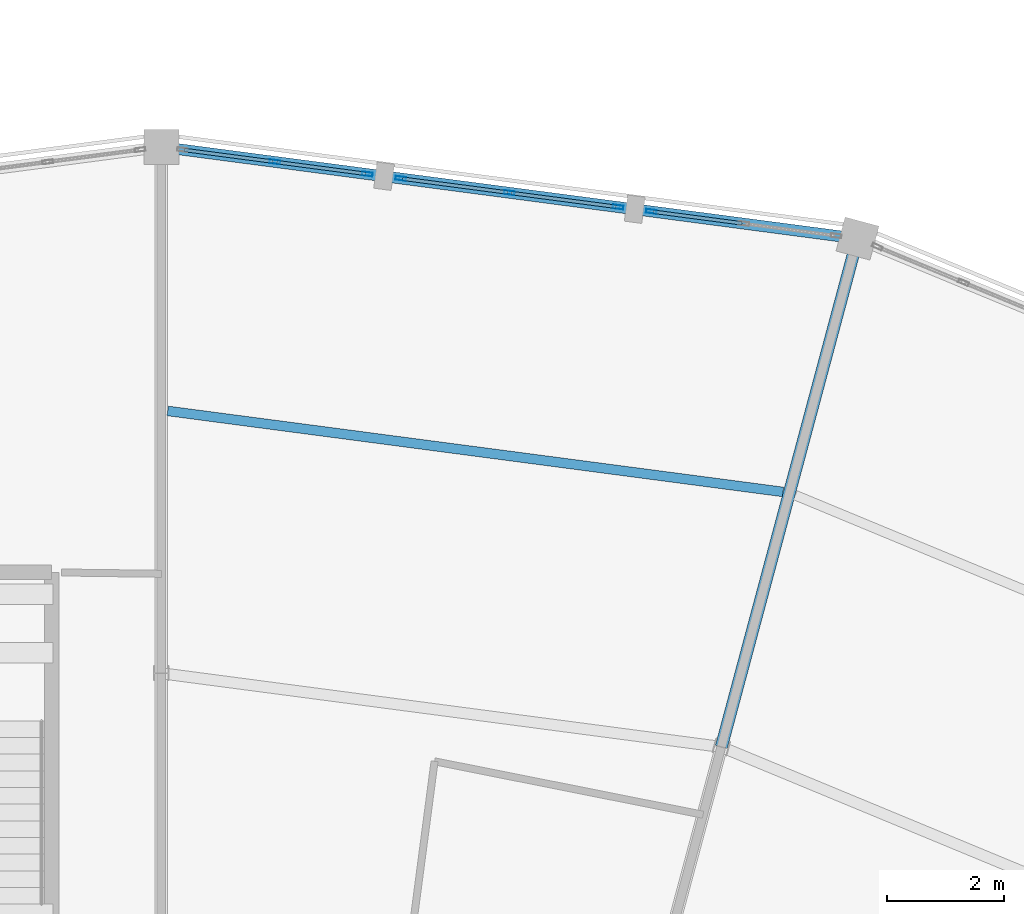
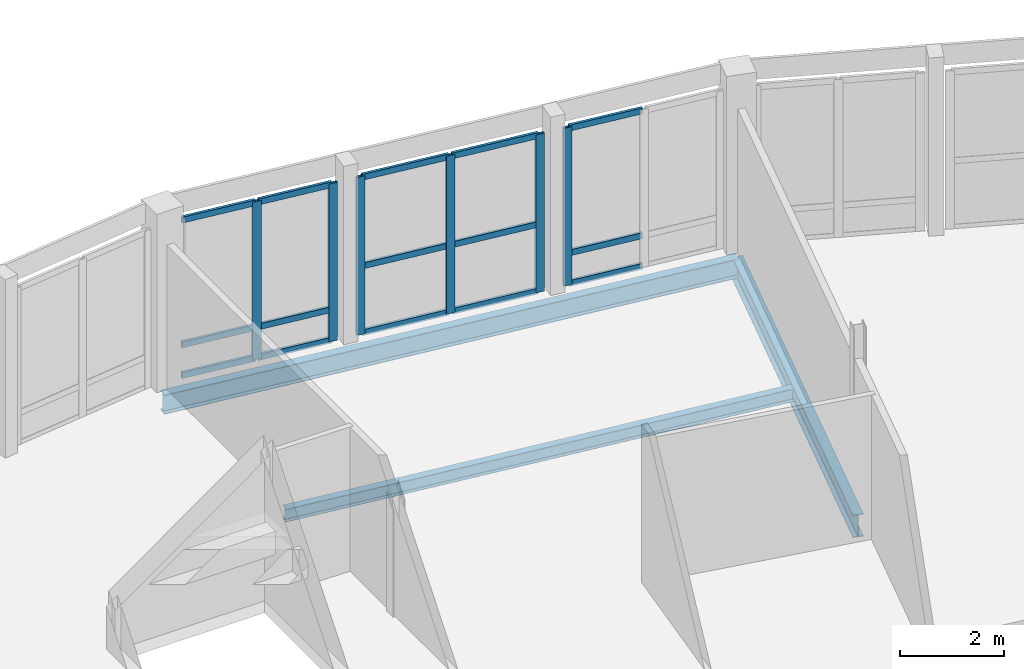
# One storey, part 95 of 185: 21 members, 3 beams, 3 elements without a shape of their own.
"""IFC4 building model written with IfcOpenShell, lengths in metres."""

from ifc_helpers import new_model, si_unit, direction, frame, origin, origin_2d, place, context, subcontext, project, spatial, hollow_rectangle, i_section, extrude, material, material_profile, profile_set, type_object, element, aggregate, save


model = new_model("IFC4")

# Units and contexts
model_context = context("Model", 3, precision=1e-05, world=origin(), true_north=direction((0.0, 1.0)))
body_context = subcontext(model_context, "Body", "Model", "MODEL_VIEW")
ifc_project = project(units=[si_unit("LENGTHUNIT", "METRE"), si_unit("AREAUNIT", "SQUARE_METRE"), si_unit("VOLUMEUNIT", "CUBIC_METRE"), si_unit("PLANEANGLEUNIT", "RADIAN"), si_unit("MASSUNIT", "GRAM", prefix="KILO")], contexts=[model_context])

# Site, building, storey
site_placement = place(None, origin())
site = spatial("IfcSite", under=ifc_project, at=site_placement, CompositionType="ELEMENT")
building_placement = place(site_placement, origin())
building = spatial("IfcBuilding", under=site, at=building_placement, Name="Vondelvale Polytechnic", CompositionType="ELEMENT")
storey_placement = place(building_placement, frame((0.0, 0.0, 9.60009765625)))
storey = spatial("IfcBuildingStorey", under=building, at=storey_placement, Name="L02", CompositionType="ELEMENT", Elevation=9.60009765625)

# Beams
ifc_material_1 = material(Name="Steel 300PLUS (fy = 300 MPa)", Category="steel")
ifc_material_profile_1 = material_profile(ifc_material_1, i_section(OverallWidth=0.18994140625, OverallDepth=0.45703125, WebThickness=0.009033203125, FlangeThickness=0.014404296875, FilletRadius=0.011474609375, at=origin_2d()), Name="460UB74.6")
ifc_profile_set_1 = profile_set([ifc_material_profile_1], Name="Steel 300PLUS (fy = 300 MPa)")
beam_type_1 = type_object("IfcBeamType", Name="BM-UB460", PredefinedType="BEAM", material=ifc_profile_set_1)
beam_1_placement = place(storey_placement, frame((113.90576171875, 116.4326171875, -0.508544921875), z_axis=(-0.991445297315, 0.130522880875, 0.0), x_axis=(-0.130522880875, -0.991445297315, 0.0)))
element("IfcBeam", 1, at=beam_1_placement, inside=storey, type_object=beam_type_1, Name="L02 RB B-13", PredefinedType="BEAM", context=body_context, shape_type="SweptSolid", body=[
    extrude(i_section(OverallWidth=0.18994140625, OverallDepth=0.45703125, WebThickness=0.009033203125, FlangeThickness=0.014404296875, FilletRadius=0.011474609375, at=origin_2d()), origin(), (0.0, 0.0, 1.0), 12.008544921875),
])
ifc_material_profile_2 = material_profile(ifc_material_1, i_section(OverallWidth=0.208984375, OverallDepth=0.532958984375, WebThickness=0.01025390625, FlangeThickness=0.015625, FilletRadius=0.013916015625, at=origin_2d()), Name="530UB92.4")
ifc_profile_set_2 = profile_set([ifc_material_profile_2], Name="Steel 300PLUS (fy = 300 MPa)")
beam_type_2 = type_object("IfcBeamType", Name="BM-UB530", PredefinedType="BEAM", material=ifc_profile_set_2)
beam_2_placement = place(storey_placement, frame((111.576416015625, 107.7392578125, -0.546630859375), z_axis=(0.25881563226, 0.965926740751, 0.0), x_axis=(-0.965926740751, 0.25881563226, 0.0)))
element("IfcBeam", 2, at=beam_2_placement, inside=storey, type_object=beam_type_2, Name="L02 RG B-11", PredefinedType="BEAM", context=body_context, shape_type="SweptSolid", body=[
    extrude(i_section(OverallWidth=0.208984375, OverallDepth=0.532958984375, WebThickness=0.01025390625, FlangeThickness=0.015625, FilletRadius=0.013916015625, at=origin_2d()), origin(), (0.0, 0.0, 1.0), 9.0),
])

# Curtain wall, member
ifc_material_2 = material(Name="Glulam GL18 structural Tasmanian oak (fb = 42 MPa)", Category="wood")
curtain_wall_type = type_object("IfcCurtainWallType", Name="CW-RING-OUTER", PredefinedType="NOTDEFINED", material=ifc_material_2)
curtain_wall_1_placement = place(storey_placement, origin())
curtain_wall_1 = element("IfcCurtainWall", 3, at=curtain_wall_1_placement, inside=storey, type_object=curtain_wall_type, Name="L02 architectural curtain wall CW-04-140", PredefinedType="NOTDEFINED")
ifc_material_3 = material(Name="Anodised extruded aluminium 6063-T6", Category="aluminium")
ifc_material_profile_3 = material_profile(ifc_material_3, hollow_rectangle(XDim=0.06494140625, YDim=0.179931640625, WallThickness=0.00390625, at=origin_2d()), Name="CW-MUL-180x65")
ifc_profile_set_3 = profile_set([ifc_material_profile_3], Name="Anodised extruded aluminium 6063-T6")
member_type_1 = type_object("IfcMemberType", Name="CW-MUL-65x180", PredefinedType="MULLION", material=ifc_profile_set_3)
member_1_placement = place(storey_placement, frame((110.380859375, 116.896728515625, 0.0), z_axis=(0.0, 0.0, 1.0), x_axis=(-0.130539547729, -0.991443102996, 0.0)))
member_1 = element("IfcMember", 4, at=member_1_placement, type_object=member_type_1, Name="CW-04-140 mullion 3", PredefinedType="MULLION", context=body_context, shape_type="SweptSolid", body=[
    extrude(hollow_rectangle(XDim=0.06494140625, YDim=0.179931640625, WallThickness=0.00390625, at=origin_2d()), origin(), (0.0, 0.0, 1.0), 3.719970703125),
])

# Curtain wall, members
curtain_wall_2_placement = place(storey_placement, origin())
curtain_wall_2 = element("IfcCurtainWall", 5, at=curtain_wall_2_placement, inside=storey, type_object=curtain_wall_type, Name="L02 architectural curtain wall CW-04-141", PredefinedType="NOTDEFINED")
member_2_placement = place(storey_placement, frame((109.810791015625, 116.9716796875, 0.0), z_axis=(0.0, 0.0, 1.0), x_axis=(-0.130497251349, -0.991448671082, 0.0)))
member_2 = element("IfcMember", 6, at=member_2_placement, type_object=member_type_1, Name="CW-04-141 mullion 1", PredefinedType="MULLION", context=body_context, shape_type="SweptSolid", body=[
    extrude(hollow_rectangle(XDim=0.06494140625, YDim=0.179931640625, WallThickness=0.00390625, at=origin_2d()), origin(), (0.0, 0.0, 1.0), 3.719970703125),
])
member_3_placement = place(storey_placement, frame((107.952880859375, 117.21630859375, 0.0), z_axis=(0.0, 0.0, 1.0), x_axis=(-0.130497251349, -0.991448671082, 0.0)))
member_3 = element("IfcMember", 7, at=member_3_placement, type_object=member_type_1, Name="CW-04-141 mullion 2", PredefinedType="MULLION", context=body_context, shape_type="SweptSolid", body=[
    extrude(hollow_rectangle(XDim=0.06494140625, YDim=0.179931640625, WallThickness=0.00390625, at=origin_2d()), origin(), (0.0, 0.0, 1.0), 3.719970703125),
])
member_4_placement = place(storey_placement, frame((106.0947265625, 117.4609375, 0.0), z_axis=(0.0, 0.0, 1.0), x_axis=(-0.130497251349, -0.991448671082, 0.0)))
member_4 = element("IfcMember", 8, at=member_4_placement, type_object=member_type_1, Name="CW-04-141 mullion 3", PredefinedType="MULLION", context=body_context, shape_type="SweptSolid", body=[
    extrude(hollow_rectangle(XDim=0.06494140625, YDim=0.179931640625, WallThickness=0.00390625, at=origin_2d()), origin(), (0.0, 0.0, 1.0), 3.719970703125),
])

curtain_wall_3_placement = place(storey_placement, origin())
curtain_wall_3 = element("IfcCurtainWall", 9, at=curtain_wall_3_placement, inside=storey, type_object=curtain_wall_type, Name="L02 architectural curtain wall CW-04-142", PredefinedType="NOTDEFINED")
member_5_placement = place(storey_placement, frame((105.524658203125, 117.535888671875, 0.0), z_axis=(0.0, 0.0, 1.0), x_axis=(-0.130539547729, -0.991443102996, 0.0)))
member_5 = element("IfcMember", 10, at=member_5_placement, type_object=member_type_1, Name="CW-04-142 mullion 1", PredefinedType="MULLION", context=body_context, shape_type="SweptSolid", body=[
    extrude(hollow_rectangle(XDim=0.06494140625, YDim=0.179931640625, WallThickness=0.00390625, at=origin_2d()), origin(), (0.0, 0.0, 1.0), 3.719970703125),
])
member_6_placement = place(storey_placement, frame((103.943359375, 117.744140625, 0.0), z_axis=(0.0, 0.0, 1.0), x_axis=(-0.130539547729, -0.991443102996, 0.0)))
member_6 = element("IfcMember", 11, at=member_6_placement, type_object=member_type_1, Name="CW-04-142 mullion 2", PredefinedType="MULLION", context=body_context, shape_type="SweptSolid", body=[
    extrude(hollow_rectangle(XDim=0.06494140625, YDim=0.179931640625, WallThickness=0.00390625, at=origin_2d()), origin(), (0.0, 0.0, 1.0), 3.719970703125),
])

# Member
ifc_material_profile_4 = material_profile(ifc_material_3, hollow_rectangle(XDim=0.06005859375, YDim=0.139892578125, WallThickness=0.00341796875, at=origin_2d()), Name="CW-TRN-140x60")
ifc_profile_set_4 = profile_set([ifc_material_profile_4], Name="Anodised extruded aluminium 6063-T6")
member_type_2 = type_object("IfcMemberType", Name="CW-TRN-60x140", PredefinedType="USERDEFINED", material=ifc_profile_set_4)
member_7_placement = place(storey_placement, frame((111.929931640625, 116.692626953125, 0.02978515625), z_axis=(-0.991443972703, 0.130532942165, 0.0), x_axis=(-0.130532942165, -0.991443972703, 0.0)))
member_7 = element("IfcMember", 12, at=member_7_placement, type_object=member_type_2, Name="CW-04-140 transom 2.1", ObjectType="TRANSOM", PredefinedType="USERDEFINED", context=body_context, shape_type="SweptSolid", body=[
    extrude(hollow_rectangle(XDim=0.06005859375, YDim=0.139892578125, WallThickness=0.00341796875, at=origin_2d()), origin(), (0.0, 0.0, 1.0), 1.530029296875),
])

member_8_placement = place(storey_placement, frame((111.929931640625, 116.692626953125, 0.75), z_axis=(-0.991443972703, 0.130532942165, 0.0), x_axis=(-0.130532942165, -0.991443972703, 0.0)))
member_8 = element("IfcMember", 13, at=member_8_placement, type_object=member_type_2, Name="CW-04-140 transom 2.2", ObjectType="TRANSOM", PredefinedType="USERDEFINED", context=body_context, shape_type="SweptSolid", body=[
    extrude(hollow_rectangle(XDim=0.06005859375, YDim=0.139892578125, WallThickness=0.00341796875, at=origin_2d()), origin(), (0.0, 0.0, 1.0), 1.530029296875),
])

member_9_placement = place(storey_placement, frame((111.929931640625, 116.692626953125, 3.68994140625), z_axis=(-0.991443972703, 0.130532942165, 0.0), x_axis=(-0.130532942165, -0.991443972703, 0.0)))
member_9 = element("IfcMember", 14, at=member_9_placement, type_object=member_type_2, Name="CW-04-140 transom 2.3", ObjectType="TRANSOM", PredefinedType="USERDEFINED", context=body_context, shape_type="SweptSolid", body=[
    extrude(hollow_rectangle(XDim=0.06005859375, YDim=0.139892578125, WallThickness=0.00341796875, at=origin_2d()), origin(), (0.0, 0.0, 1.0), 1.530029296875),
])

aggregate(curtain_wall_1, [member_1, member_7, member_8, member_9])

member_10_placement = place(storey_placement, frame((109.778564453125, 116.97607421875, 0.02978515625), z_axis=(-0.991446943979, 0.130510372288, 0.0), x_axis=(-0.130510372288, -0.991446943979, 0.0)))
member_10 = element("IfcMember", 15, at=member_10_placement, type_object=member_type_2, Name="CW-04-141 transom 1.1", ObjectType="TRANSOM", PredefinedType="USERDEFINED", context=body_context, shape_type="SweptSolid", body=[
    extrude(hollow_rectangle(XDim=0.06005859375, YDim=0.139892578125, WallThickness=0.00341796875, at=origin_2d()), origin(), (0.0, 0.0, 1.0), 1.808837890625),
])

member_11_placement = place(storey_placement, frame((109.778564453125, 116.97607421875, 1.599853515625), z_axis=(-0.991446943979, 0.130510372288, 0.0), x_axis=(-0.130510372288, -0.991446943979, 0.0)))
member_11 = element("IfcMember", 16, at=member_11_placement, type_object=member_type_2, Name="CW-04-141 transom 1.2", ObjectType="TRANSOM", PredefinedType="USERDEFINED", context=body_context, shape_type="SweptSolid", body=[
    extrude(hollow_rectangle(XDim=0.06005859375, YDim=0.139892578125, WallThickness=0.00341796875, at=origin_2d()), origin(), (0.0, 0.0, 1.0), 1.808837890625),
])

member_12_placement = place(storey_placement, frame((109.778564453125, 116.97607421875, 3.68994140625), z_axis=(-0.991446943979, 0.130510372288, 0.0), x_axis=(-0.130510372288, -0.991446943979, 0.0)))
member_12 = element("IfcMember", 17, at=member_12_placement, type_object=member_type_2, Name="CW-04-141 transom 1.3", ObjectType="TRANSOM", PredefinedType="USERDEFINED", context=body_context, shape_type="SweptSolid", body=[
    extrude(hollow_rectangle(XDim=0.06005859375, YDim=0.139892578125, WallThickness=0.00341796875, at=origin_2d()), origin(), (0.0, 0.0, 1.0), 1.808837890625),
])

member_13_placement = place(storey_placement, frame((107.920654296875, 117.220458984375, 0.02978515625), z_axis=(-0.991449242357, 0.130492911033, 0.0), x_axis=(-0.130492911033, -0.991449242357, 0.0)))
member_13 = element("IfcMember", 18, at=member_13_placement, type_object=member_type_2, Name="CW-04-141 transom 2.1", ObjectType="TRANSOM", PredefinedType="USERDEFINED", context=body_context, shape_type="SweptSolid", body=[
    extrude(hollow_rectangle(XDim=0.06005859375, YDim=0.139892578125, WallThickness=0.00341796875, at=origin_2d()), origin(), (0.0, 0.0, 1.0), 1.80908203125),
])

member_14_placement = place(storey_placement, frame((107.920654296875, 117.220458984375, 1.599853515625), z_axis=(-0.991449242357, 0.130492911033, 0.0), x_axis=(-0.130492911033, -0.991449242357, 0.0)))
member_14 = element("IfcMember", 19, at=member_14_placement, type_object=member_type_2, Name="CW-04-141 transom 2.2", ObjectType="TRANSOM", PredefinedType="USERDEFINED", context=body_context, shape_type="SweptSolid", body=[
    extrude(hollow_rectangle(XDim=0.06005859375, YDim=0.139892578125, WallThickness=0.00341796875, at=origin_2d()), origin(), (0.0, 0.0, 1.0), 1.80908203125),
])

member_15_placement = place(storey_placement, frame((107.920654296875, 117.220458984375, 3.68994140625), z_axis=(-0.991449242357, 0.130492911033, 0.0), x_axis=(-0.130492911033, -0.991449242357, 0.0)))
member_15 = element("IfcMember", 20, at=member_15_placement, type_object=member_type_2, Name="CW-04-141 transom 2.3", ObjectType="TRANSOM", PredefinedType="USERDEFINED", context=body_context, shape_type="SweptSolid", body=[
    extrude(hollow_rectangle(XDim=0.06005859375, YDim=0.139892578125, WallThickness=0.00341796875, at=origin_2d()), origin(), (0.0, 0.0, 1.0), 1.80908203125),
])

aggregate(curtain_wall_2, [member_2, member_3, member_4, member_10, member_11, member_12, member_13, member_14, member_15])

member_16_placement = place(storey_placement, frame((105.49267578125, 117.540283203125, 0.02978515625), z_axis=(-0.991446691045, 0.130512293736, 0.0), x_axis=(-0.130512293736, -0.991446691045, 0.0)))
member_16 = element("IfcMember", 21, at=member_16_placement, type_object=member_type_2, Name="CW-04-142 transom 1.1", ObjectType="TRANSOM", PredefinedType="USERDEFINED", context=body_context, shape_type="SweptSolid", body=[
    extrude(hollow_rectangle(XDim=0.06005859375, YDim=0.139892578125, WallThickness=0.00341796875, at=origin_2d()), origin(), (0.0, 0.0, 1.0), 1.5302734375),
])

member_17_placement = place(storey_placement, frame((105.49267578125, 117.540283203125, 0.75), z_axis=(-0.991446691045, 0.130512293736, 0.0), x_axis=(-0.130512293736, -0.991446691045, 0.0)))
member_17 = element("IfcMember", 22, at=member_17_placement, type_object=member_type_2, Name="CW-04-142 transom 1.2", ObjectType="TRANSOM", PredefinedType="USERDEFINED", context=body_context, shape_type="SweptSolid", body=[
    extrude(hollow_rectangle(XDim=0.06005859375, YDim=0.139892578125, WallThickness=0.00341796875, at=origin_2d()), origin(), (0.0, 0.0, 1.0), 1.5302734375),
])

member_18_placement = place(storey_placement, frame((105.49267578125, 117.540283203125, 3.68994140625), z_axis=(-0.991446691045, 0.130512293736, 0.0), x_axis=(-0.130512293736, -0.991446691045, 0.0)))
member_18 = element("IfcMember", 23, at=member_18_placement, type_object=member_type_2, Name="CW-04-142 transom 1.3", ObjectType="TRANSOM", PredefinedType="USERDEFINED", context=body_context, shape_type="SweptSolid", body=[
    extrude(hollow_rectangle(XDim=0.06005859375, YDim=0.139892578125, WallThickness=0.00341796875, at=origin_2d()), origin(), (0.0, 0.0, 1.0), 1.5302734375),
])

member_19_placement = place(storey_placement, frame((103.9111328125, 117.748291015625, 0.02978515625), z_axis=(-0.991443972703, 0.130532942165, 0.0), x_axis=(-0.130532942165, -0.991443972703, 0.0)))
member_19 = element("IfcMember", 24, at=member_19_placement, type_object=member_type_2, Name="CW-04-142 transom 2.1", ObjectType="TRANSOM", PredefinedType="USERDEFINED", context=body_context, shape_type="SweptSolid", body=[
    extrude(hollow_rectangle(XDim=0.06005859375, YDim=0.139892578125, WallThickness=0.00341796875, at=origin_2d()), origin(), (0.0, 0.0, 1.0), 1.530029296875),
])

member_20_placement = place(storey_placement, frame((103.9111328125, 117.748291015625, 0.75), z_axis=(-0.991443972703, 0.130532942165, 0.0), x_axis=(-0.130532942165, -0.991443972703, 0.0)))
member_20 = element("IfcMember", 25, at=member_20_placement, type_object=member_type_2, Name="CW-04-142 transom 2.2", ObjectType="TRANSOM", PredefinedType="USERDEFINED", context=body_context, shape_type="SweptSolid", body=[
    extrude(hollow_rectangle(XDim=0.06005859375, YDim=0.139892578125, WallThickness=0.00341796875, at=origin_2d()), origin(), (0.0, 0.0, 1.0), 1.530029296875),
])

member_21_placement = place(storey_placement, frame((103.9111328125, 117.748291015625, 3.68994140625), z_axis=(-0.991443972703, 0.130532942165, 0.0), x_axis=(-0.130532942165, -0.991443972703, 0.0)))
member_21 = element("IfcMember", 26, at=member_21_placement, type_object=member_type_2, Name="CW-04-142 transom 2.3", ObjectType="TRANSOM", PredefinedType="USERDEFINED", context=body_context, shape_type="SweptSolid", body=[
    extrude(hollow_rectangle(XDim=0.06005859375, YDim=0.139892578125, WallThickness=0.00341796875, at=origin_2d()), origin(), (0.0, 0.0, 1.0), 1.530029296875),
])

aggregate(curtain_wall_3, [member_5, member_6, member_16, member_17, member_18, member_19, member_20, member_21])

# Beam
ifc_material_profile_5 = material_profile(ifc_material_1, i_section(OverallWidth=0.1650390625, OverallDepth=0.303955078125, WebThickness=0.006103515625, FlangeThickness=0.01025390625, FilletRadius=0.011474609375, at=origin_2d()), Name="310UB40.4")
ifc_profile_set_5 = profile_set([ifc_material_profile_5], Name="Steel 300PLUS (fy = 300 MPa)")
beam_type_3 = type_object("IfcBeamType", Name="JST-UB310", PredefinedType="JOIST", material=ifc_profile_set_5)
beam_3_placement = place(storey_placement, frame((112.6318359375, 112.100341796875, -0.43212890625), z_axis=(-0.991445916013, 0.13051818119, 0.0), x_axis=(-0.13051818119, -0.991445916013, 0.0)))
element("IfcBeam", 27, at=beam_3_placement, inside=storey, type_object=beam_type_3, Name="L02 RJ J-05", PredefinedType="JOIST", context=body_context, shape_type="SweptSolid", body=[
    extrude(i_section(OverallWidth=0.1650390625, OverallDepth=0.303955078125, WebThickness=0.006103515625, FlangeThickness=0.01025390625, FilletRadius=0.011474609375, at=origin_2d()), origin(), (0.0, 0.0, 1.0), 10.613525390625),
])

save(model, "model.ifc")
